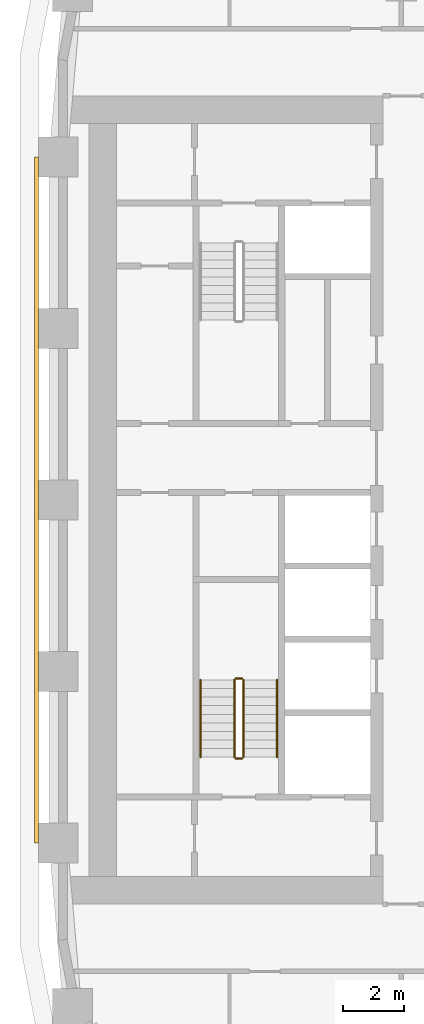
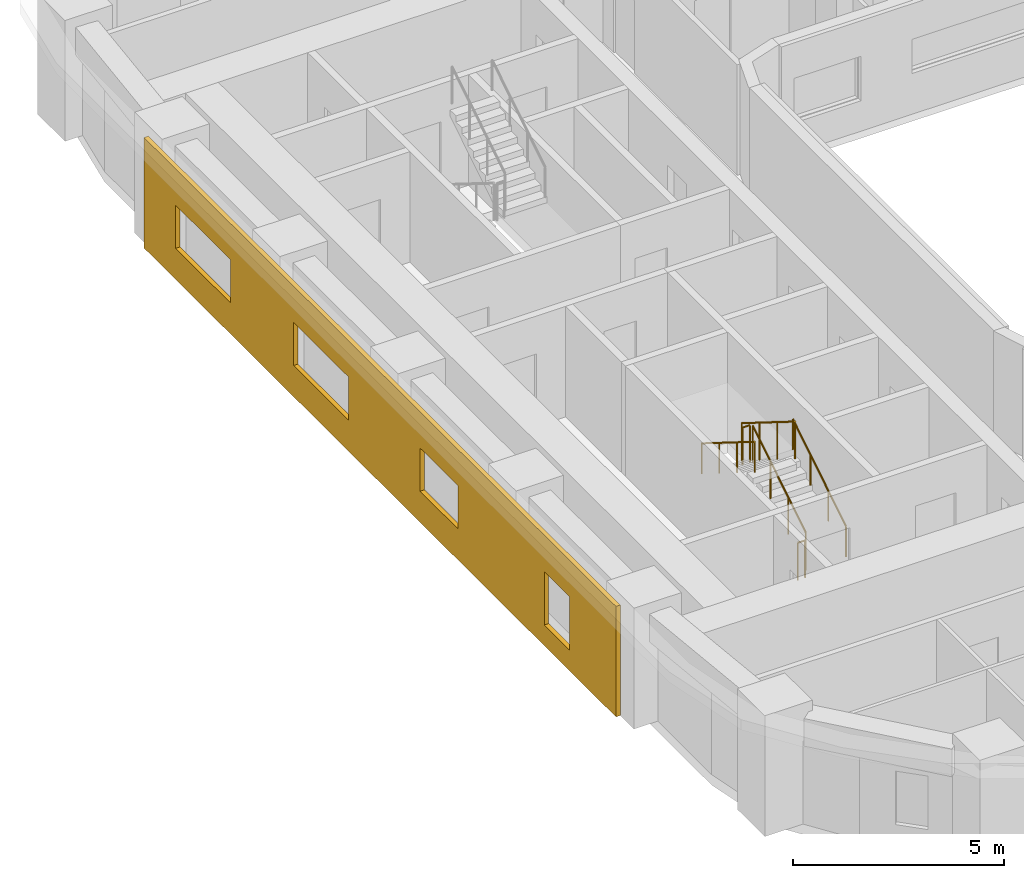
# One storey, part 13 of 19: 6 railings, 1 covering.
"""IFC4 building model written with IfcOpenShell, lengths in metres."""

from ifc_helpers import new_model, si_unit, direction, frame, origin, origin_2d, place, context, subcontext, project, spatial, polyline, circle, outline, extrude, material, layer, layer_set, type_object, element, save


model = new_model("IFC4")

# Units and contexts
model_context = context("Model", 3, precision=1e-05, world=origin(), true_north=direction((0.0, 1.0)))
body_context = subcontext(model_context, "Body", "Model", "MODEL_VIEW")
ifc_project = project(units=[si_unit("LENGTHUNIT", "METRE"), si_unit("AREAUNIT", "SQUARE_METRE"), si_unit("VOLUMEUNIT", "CUBIC_METRE"), si_unit("PLANEANGLEUNIT", "RADIAN"), si_unit("MASSUNIT", "GRAM", prefix="KILO")], contexts=[model_context])

# Site, building, storey
site_placement = place(None, origin())
site = spatial("IfcSite", under=ifc_project, at=site_placement, CompositionType="ELEMENT")
building_placement = place(site_placement, origin())
building = spatial("IfcBuilding", under=site, at=building_placement, Name="Kiln Ring Residences", CompositionType="ELEMENT")
storey_placement = place(building_placement, frame((0.0, 0.0, 104.300048828125)))
storey = spatial("IfcBuildingStorey", under=building, at=storey_placement, Name="L26", CompositionType="ELEMENT", Elevation=104.300048828125)

# Railings
ifc_material_1 = material(Name="Stainless steel", Category="steel")
railing_type_1 = type_object("IfcRailingType", Name="CORE-STAIR-GUARD", PredefinedType="GUARDRAIL", material=ifc_material_1)
railing_1_placement = place(storey_placement, frame((-21.949951171875, -8.39990234375, 0.175048828125)))
element("IfcRailing", 1, at=railing_1_placement, inside=storey, type_object=railing_type_1, Name="L26 W-STS stair guard 1", PredefinedType="GUARDRAIL", context=body_context, shape_type="SweptSolid", body=[
    extrude(circle(Radius=0.02392578125, at=origin_2d()), frame((0.0, 0.0, 1.076171875), z_axis=(0.0, 0.848007534815, 0.529984170421), x_axis=(-1.0, 0.0, 0.0)), (0.0, 0.0, 1.0), 2.9716796875),
    extrude(circle(Radius=0.02099609375, at=origin_2d()), origin(), (0.0, 0.0, 1.0), 1.052001953125),
    extrude(circle(Radius=0.02099609375, at=origin_2d()), frame((0.0, 0.840087890625, 0.52490234375)), (0.0, 0.0, 1.0), 1.052001953125),
    extrude(circle(Radius=0.02099609375, at=origin_2d()), frame((0.0, 1.679931640625, 1.050048828125)), (0.0, 0.0, 1.0), 1.052001953125),
    extrude(circle(Radius=0.02099609375, at=origin_2d()), frame((0.0, 2.52001953125, 1.574951171875)), (0.0, 0.0, 1.0), 1.052001953125),
])
railing_2_placement = place(storey_placement, frame((-22.0, -5.830078125, 1.75)))
element("IfcRailing", 2, at=railing_2_placement, inside=storey, type_object=railing_type_1, Name="L26 W-STS stair guard 2", PredefinedType="GUARDRAIL", context=body_context, shape_type="SweptSolid", body=[
    extrude(circle(Radius=0.02392578125, at=origin_2d()), frame((0.0, 0.0, 1.076171875), z_axis=(-1.0, 0.0, 0.0), x_axis=(0.0, -1.0, 0.0)), (0.0, 0.0, 1.0), 0.199951171875),
    extrude(circle(Radius=0.02099609375, at=origin_2d()), origin(), (0.0, 0.0, 1.0), 1.052001953125),
    extrude(circle(Radius=0.02099609375, at=origin_2d()), frame((-0.199951171875, 0.0, 0.0)), (0.0, 0.0, 1.0), 1.052001953125),
])
railing_3_placement = place(storey_placement, frame((-22.25, -5.8798828125, 1.925048828125)))
element("IfcRailing", 3, at=railing_3_placement, inside=storey, type_object=railing_type_1, Name="L26 W-STS stair guard 3", PredefinedType="GUARDRAIL", context=body_context, shape_type="SweptSolid", body=[
    extrude(circle(Radius=0.02392578125, at=origin_2d()), frame((0.0, 0.0, 1.076171875), z_axis=(0.0, -0.848007534815, 0.529984170421), x_axis=(1.0, 0.0, 0.0)), (0.0, 0.0, 1.0), 2.9716796875),
    extrude(circle(Radius=0.02099609375, at=origin_2d()), origin(), (0.0, 0.0, 1.0), 1.052001953125),
    extrude(circle(Radius=0.02099609375, at=origin_2d()), frame((0.0, -0.840087890625, 0.52490234375)), (0.0, 0.0, 1.0), 1.052001953125),
    extrude(circle(Radius=0.02099609375, at=origin_2d()), frame((0.0, -1.679931640625, 1.050048828125)), (0.0, 0.0, 1.0), 1.052001953125),
    extrude(circle(Radius=0.02099609375, at=origin_2d()), frame((0.0, -2.52001953125, 1.574951171875)), (0.0, 0.0, 1.0), 1.052001953125),
])
railing_4_placement = place(storey_placement, frame((-22.0, -8.449951171875, 0.0)))
element("IfcRailing", 4, at=railing_4_placement, inside=storey, type_object=railing_type_1, Name="L26 W-STS stair guard 4", PredefinedType="GUARDRAIL", context=body_context, shape_type="SweptSolid", body=[
    extrude(circle(Radius=0.02392578125, at=origin_2d()), frame((0.0, 0.0, 1.076171875), z_axis=(-1.0, 0.0, 0.0), x_axis=(0.0, -1.0, 0.0)), (0.0, 0.0, 1.0), 0.199951171875),
    extrude(circle(Radius=0.02099609375, at=origin_2d()), origin(), (0.0, 0.0, 1.0), 1.052001953125),
    extrude(circle(Radius=0.02099609375, at=origin_2d()), frame((-0.199951171875, 0.0, 0.0)), (0.0, 0.0, 1.0), 1.052001953125),
])
ifc_material_2 = material(Name="Stainless steel", Category="steel")
railing_type_2 = type_object("IfcRailingType", Name="CORE-STAIR-HANDRAIL", PredefinedType="HANDRAIL", material=ifc_material_2)
railing_5_placement = place(storey_placement, frame((-20.85009765625, -8.39990234375, 0.175048828125)))
element("IfcRailing", 5, at=railing_5_placement, inside=storey, type_object=railing_type_2, Name="L26 W-STS stair handrail 1", PredefinedType="HANDRAIL", context=body_context, shape_type="SweptSolid", body=[
    extrude(circle(Radius=0.02392578125, at=origin_2d()), frame((0.0, 0.0, 0.8759765625), z_axis=(0.0, 0.848007534815, 0.529984170421), x_axis=(-1.0, 0.0, 0.0)), (0.0, 0.0, 1.0), 2.9716796875),
    extrude(circle(Radius=0.02099609375, at=origin_2d()), origin(), (0.0, 0.0, 1.0), 0.851806640625),
    extrude(circle(Radius=0.02099609375, at=origin_2d()), frame((0.0, 0.840087890625, 0.52490234375)), (0.0, 0.0, 1.0), 0.851806640625),
    extrude(circle(Radius=0.02099609375, at=origin_2d()), frame((0.0, 1.679931640625, 1.050048828125)), (0.0, 0.0, 1.0), 0.851806640625),
    extrude(circle(Radius=0.02099609375, at=origin_2d()), frame((0.0, 2.52001953125, 1.574951171875)), (0.0, 0.0, 1.0), 0.851806640625),
])
railing_6_placement = place(storey_placement, frame((-23.35009765625, -5.8798828125, 1.925048828125)))
element("IfcRailing", 6, at=railing_6_placement, inside=storey, type_object=railing_type_2, Name="L26 W-STS stair handrail 2", PredefinedType="HANDRAIL", context=body_context, shape_type="SweptSolid", body=[
    extrude(circle(Radius=0.02392578125, at=origin_2d()), frame((0.0, 0.0, 0.8759765625), z_axis=(0.0, -0.848007534815, 0.529984170421), x_axis=(1.0, 0.0, 0.0)), (0.0, 0.0, 1.0), 2.9716796875),
    extrude(circle(Radius=0.02099609375, at=origin_2d()), origin(), (0.0, 0.0, 1.0), 0.851806640625),
    extrude(circle(Radius=0.02099609375, at=origin_2d()), frame((0.0, -0.840087890625, 0.52490234375)), (0.0, 0.0, 1.0), 0.851806640625),
    extrude(circle(Radius=0.02099609375, at=origin_2d()), frame((0.0, -1.679931640625, 1.050048828125)), (0.0, 0.0, 1.0), 0.851806640625),
    extrude(circle(Radius=0.02099609375, at=origin_2d()), frame((0.0, -2.52001953125, 1.574951171875)), (0.0, 0.0, 1.0), 0.851806640625),
])

# Covering
ifc_material_3 = material(Name="Brick masonry, dark clay brick", Category="masonry")
ifc_layer = layer(ifc_material_3, 0.1201171875)
ifc_layer_set = layer_set([ifc_layer], Name="RAINSCREEN PANEL 120")
covering_type = type_object("IfcCoveringType", Name="RAINSCREEN PANEL 120", PredefinedType="CLADDING", material=ifc_layer_set)
covering_placement = place(storey_placement, frame((-28.7099609375, 11.199951171875, 0.0), z_axis=(0.0, 0.0, 1.0), x_axis=(0.0, -1.0, 0.0)))
element("IfcCovering", 7, at=covering_placement, inside=storey, type_object=covering_type, Name="RAINSCREEN L26", PredefinedType="CLADDING", context=body_context, shape_type="SweptSolid", body=[
    extrude(outline(polyline([(0.0, 0.0), (22.39990234375, 0.0), (22.39990234375, 3.199951171875), (0.0, 3.199951171875), (0.0, 0.0)]), holes=[polyline([(20.199951171875, 0.599853515625), (20.199951171875, 2.14990234375), (19.0, 2.14990234375), (19.0, 0.599853515625), (20.199951171875, 0.599853515625)]), polyline([(4.10009765625, 0.89990234375), (4.10009765625, 2.14990234375), (1.5, 2.14990234375), (1.5, 0.89990234375), (4.10009765625, 0.89990234375)]), polyline([(9.699951171875, 0.89990234375), (9.699951171875, 2.14990234375), (7.10009765625, 2.14990234375), (7.10009765625, 0.89990234375), (9.699951171875, 0.89990234375)]), polyline([(14.89990234375, 0.89990234375), (14.89990234375, 2.14990234375), (13.10009765625, 2.14990234375), (13.10009765625, 0.89990234375), (14.89990234375, 0.89990234375)])]), frame((0.0, 0.06005859375, 0.0), z_axis=(0.0, -1.0, 0.0), x_axis=(1.0, 0.0, 0.0)), (0.0, 0.0, 1.0), 0.1201171875),
])

save(model, "model.ifc")
